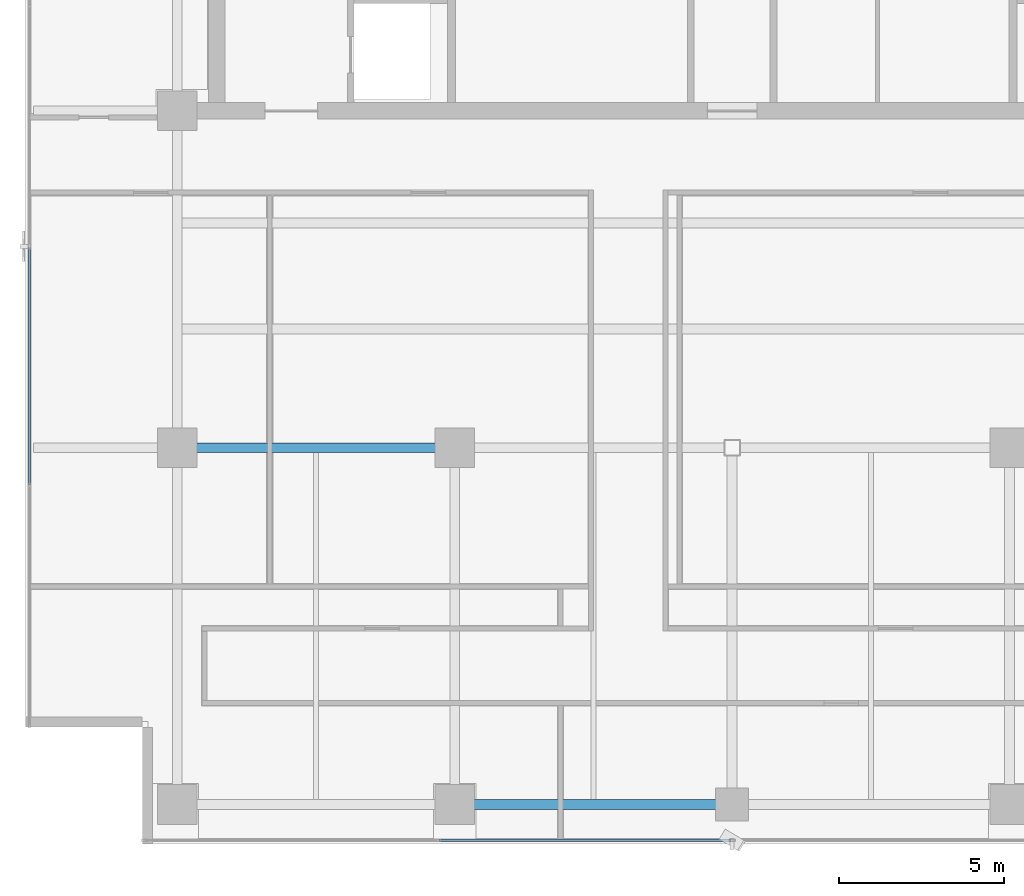
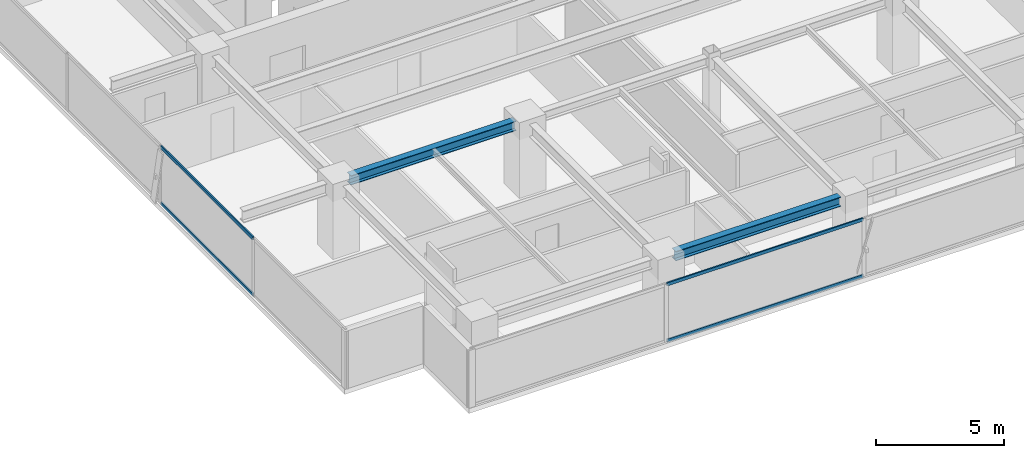
# One storey, part 3 of 20: 4 members, 2 beams, 2 elements without a shape of their own.
"""IFC4 building model written with IfcOpenShell, lengths in metres."""

from ifc_helpers import new_model, si_unit, direction, frame, origin, origin_2d, place, context, subcontext, project, spatial, hollow_rectangle, i_section, extrude, source, transform, mapped, material, layer, layer_set, material_profile, profile_set, type_object, element, aggregate, save


model = new_model("IFC4")

# Units and contexts
model_context = context("Model", 3, precision=1e-05, world=origin(), true_north=direction((0.0, 1.0)))
body_context = subcontext(model_context, "Body", "Model", "MODEL_VIEW")
ifc_project = project(units=[si_unit("LENGTHUNIT", "METRE"), si_unit("AREAUNIT", "SQUARE_METRE"), si_unit("VOLUMEUNIT", "CUBIC_METRE"), si_unit("PLANEANGLEUNIT", "RADIAN"), si_unit("MASSUNIT", "GRAM", prefix="KILO")], contexts=[model_context])

# Site, building, storey
site_placement = place(None, origin())
site = spatial("IfcSite", under=ifc_project, at=site_placement, CompositionType="ELEMENT")
building_placement = place(site_placement, origin())
building = spatial("IfcBuilding", under=site, at=building_placement, Name="Sumidabori Civic Tower", CompositionType="ELEMENT")
storey_placement = place(building_placement, frame((0.0, 0.0, 282.800048828125)))
storey = spatial("IfcBuildingStorey", under=building, at=storey_placement, Name="L74", CompositionType="ELEMENT", Elevation=282.800048828125)

# Beams
ifc_material_1 = material(Name="Steel SN490", Category="steel")
ifc_material_profile_1 = material_profile(ifc_material_1, i_section(OverallWidth=0.300048828125, OverallDepth=0.449951171875, WebThickness=0.013916015625, FlangeThickness=0.02587890625, at=origin_2d()), Name="HE 450 B")
ifc_profile_set_1 = profile_set([ifc_material_profile_1], Name="Steel SN490")
beam_type = type_object("IfcBeamType", Name="BM-GIRD-450", PredefinedType="BEAM", material=ifc_profile_set_1)
shared_shape_1 = source(origin(), body_context, "Body", "SweptSolid", [
    extrude(i_section(OverallWidth=0.300048828125, OverallDepth=0.449951171875, WebThickness=0.013916015625, FlangeThickness=0.02587890625, at=origin_2d()), origin(), (0.0, 0.0, 1.0), 7.440185546875),
])
beam_1_placement = place(storey_placement, frame((-16.320068359375, 0.0, 3.14501953125), z_axis=(1.0, 0.0, 0.0), x_axis=(0.0, 1.0, 0.0)))
element("IfcBeam", 1, at=beam_1_placement, inside=storey, type_object=beam_type, Name="Primary Girder L74 GX-05", PredefinedType="BEAM", context=body_context, shape_type="MappedRepresentation", body=[
    mapped(shared_shape_1, transform((0.0, 0.0, 0.0), x_axis=(1.0, 0.0, 0.0), y_axis=(0.0, 1.0, 0.0), z_axis=(0.0, 0.0, 1.0), scale=1.0)),
])
shared_shape_2 = source(origin(), body_context, "Body", "SweptSolid", [
    extrude(i_section(OverallWidth=0.300048828125, OverallDepth=0.449951171875, WebThickness=0.013916015625, FlangeThickness=0.02587890625, at=origin_2d()), origin(), (0.0, 0.0, 1.0), 7.43994140625),
])
beam_2_placement = place(storey_placement, frame((-7.919921875, -10.800048828125, 3.14501953125), z_axis=(1.0, 0.0, 0.0), x_axis=(0.0, 1.0, 0.0)))
element("IfcBeam", 2, at=beam_2_placement, inside=storey, type_object=beam_type, Name="Primary Girder L74 GX-02", PredefinedType="BEAM", context=body_context, shape_type="MappedRepresentation", body=[
    mapped(shared_shape_2, transform((0.0, 0.0, 0.0), x_axis=(1.0, 0.0, 0.0), y_axis=(0.0, 1.0, 0.0), z_axis=(0.0, 0.0, 1.0), scale=1.0)),
])

# Curtain wall, members
ifc_material_2 = material(Name="Anodised Bronze Aluminium AW-6063-T6", Category="aluminium")
ifc_layer = layer(ifc_material_2, 0.179931640625, Name="Anodised Bronze Aluminium AW-6063-T6")
ifc_layer_set = layer_set([ifc_layer], Name="Anodised Bronze Aluminium AW-6063-T6")
curtain_wall_type = type_object("IfcCurtainWallType", Name="CW-SYS-6", PredefinedType="NOTDEFINED", material=ifc_layer_set)
curtain_wall_1_placement = place(storey_placement, origin())
curtain_wall_1 = element("IfcCurtainWall", 3, at=curtain_wall_1_placement, inside=storey, type_object=curtain_wall_type, Name="Curtain Wall CW:L74:R01", PredefinedType="NOTDEFINED")
ifc_material_profile_2 = material_profile(ifc_material_2, hollow_rectangle(XDim=0.06494140625, YDim=0.14990234375, WallThickness=0.0048828125, at=origin_2d()), Name="ALU TRANSOM 150x65")
ifc_profile_set_2 = profile_set([ifc_material_profile_2], Name="Anodised Bronze Aluminium AW-6063-T6")
member_type = type_object("IfcMemberType", Name="CW-TRN-150", PredefinedType="USERDEFINED", material=ifc_profile_set_2)
shared_shape_3 = source(origin(), body_context, "Body", "SweptSolid", [
    extrude(hollow_rectangle(XDim=0.06494140625, YDim=0.14990234375, WallThickness=0.0048828125, at=origin_2d()), origin(), (0.0, 0.0, 1.0), 8.840087890625),
])
member_1_placement = place(storey_placement, frame((-8.875, -11.8798828125, 0.032470703125), z_axis=(1.0, 0.0, 0.0), x_axis=(0.0, 1.0, 0.0)))
member_1 = element("IfcMember", 4, at=member_1_placement, type_object=member_type, Name="CW-6 transom 2.1", ObjectType="TRANSOM", PredefinedType="USERDEFINED", context=body_context, shape_type="MappedRepresentation", body=[
    mapped(shared_shape_3, transform((0.0, 0.0, 0.0), x_axis=(1.0, 0.0, 0.0), y_axis=(0.0, 1.0, 0.0), z_axis=(0.0, 0.0, 1.0), scale=1.0)),
])
member_2_placement = place(storey_placement, frame((-8.875, -11.8798828125, 2.717529296875), z_axis=(1.0, 0.0, 0.0), x_axis=(0.0, 1.0, 0.0)))
member_2 = element("IfcMember", 5, at=member_2_placement, type_object=member_type, Name="CW-6 transom 2.2", ObjectType="TRANSOM", PredefinedType="USERDEFINED", context=body_context, shape_type="MappedRepresentation", body=[
    mapped(shared_shape_3, transform((0.0, 0.0, 0.0), x_axis=(1.0, 0.0, 0.0), y_axis=(0.0, 1.0, 0.0), z_axis=(0.0, 0.0, 1.0), scale=1.0)),
])
aggregate(curtain_wall_1, [member_1, member_2])

curtain_wall_2_placement = place(storey_placement, origin())
curtain_wall_2 = element("IfcCurtainWall", 6, at=curtain_wall_2_placement, inside=storey, type_object=curtain_wall_type, Name="Curtain Wall CW:L74:R10", PredefinedType="NOTDEFINED")
shared_shape_4 = source(origin(), body_context, "Body", "SweptSolid", [
    extrude(hollow_rectangle(XDim=0.06494140625, YDim=0.14990234375, WallThickness=0.0048828125, at=origin_2d()), origin(), (0.0, 0.0, 1.0), 7.18994140625),
])
member_3_placement = place(storey_placement, frame((-21.280029296875, 6.06494140625, 0.032470703125), z_axis=(0.0, -1.0, 0.0), x_axis=(1.0, 0.0, 0.0)))
member_3 = element("IfcMember", 7, at=member_3_placement, type_object=member_type, Name="CW-6 transom 3.1", ObjectType="TRANSOM", PredefinedType="USERDEFINED", context=body_context, shape_type="MappedRepresentation", body=[
    mapped(shared_shape_4, transform((0.0, 0.0, 0.0), x_axis=(1.0, 0.0, 0.0), y_axis=(0.0, 1.0, 0.0), z_axis=(0.0, 0.0, 1.0), scale=1.0)),
])
member_4_placement = place(storey_placement, frame((-21.280029296875, 6.06494140625, 2.717529296875), z_axis=(0.0, -1.0, 0.0), x_axis=(1.0, 0.0, 0.0)))
member_4 = element("IfcMember", 8, at=member_4_placement, type_object=member_type, Name="CW-6 transom 3.2", ObjectType="TRANSOM", PredefinedType="USERDEFINED", context=body_context, shape_type="MappedRepresentation", body=[
    mapped(shared_shape_4, transform((0.0, 0.0, 0.0), x_axis=(1.0, 0.0, 0.0), y_axis=(0.0, 1.0, 0.0), z_axis=(0.0, 0.0, 1.0), scale=1.0)),
])
aggregate(curtain_wall_2, [member_3, member_4])

save(model, "model.ifc")
